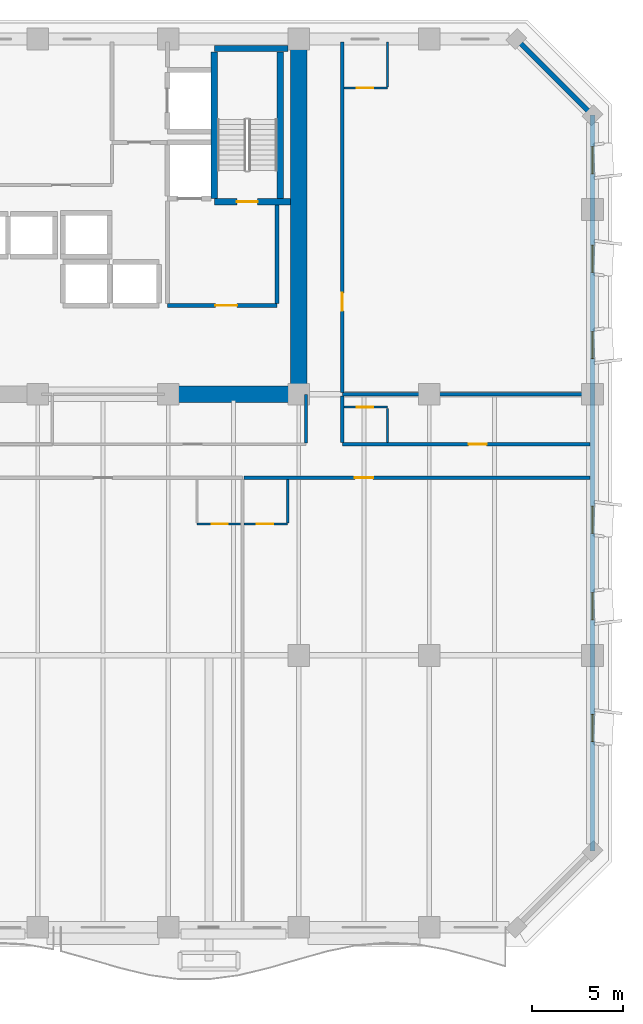
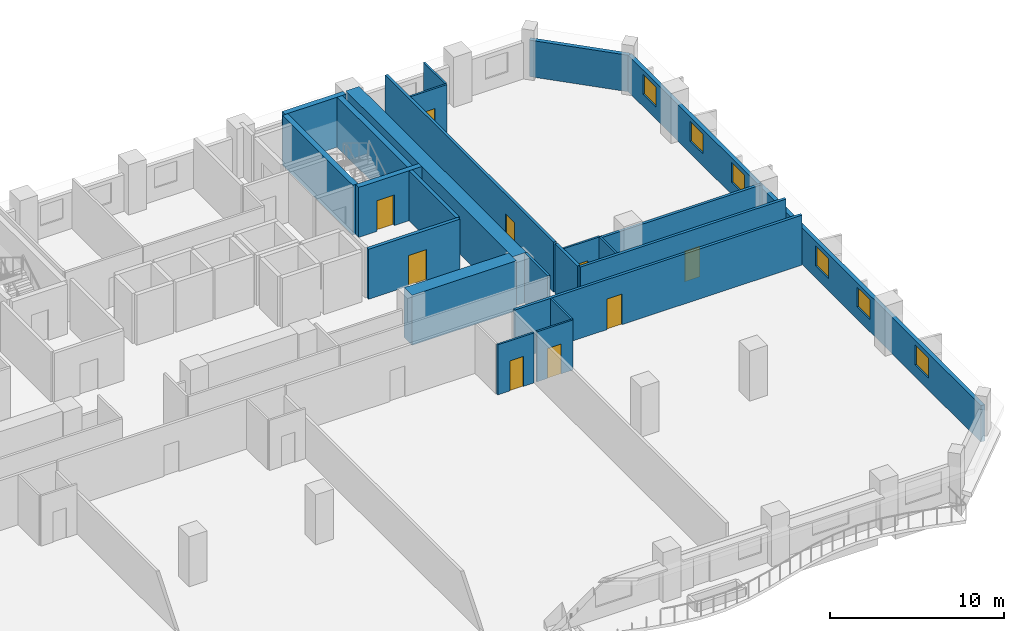
# One storey, part 9 of 14: 23 walls, 9 doors, 6 windows, 15 openings.
"""IFC4 building model written with IfcOpenShell, lengths in metres."""

from ifc_helpers import new_model, si_unit, direction, frame, frame_2d, origin, place, context, subcontext, project, spatial, rectangle, extrude, material, layer, layer_set, type_object, element, fill, save


model = new_model("IFC4")

# Units and contexts
model_context = context("Model", 3, precision=1e-05, world=origin(), true_north=direction((0.0, 1.0)))
body_context = subcontext(model_context, "Body", "Model", "MODEL_VIEW")
ifc_project = project(units=[si_unit("LENGTHUNIT", "METRE"), si_unit("AREAUNIT", "SQUARE_METRE"), si_unit("VOLUMEUNIT", "CUBIC_METRE"), si_unit("PLANEANGLEUNIT", "RADIAN"), si_unit("MASSUNIT", "GRAM", prefix="KILO")], contexts=[model_context])

# Site, building, storey
site_placement = place(None, origin())
site = spatial("IfcSite", under=ifc_project, at=site_placement, CompositionType="ELEMENT")
building_placement = place(site_placement, origin())
building = spatial("IfcBuilding", under=site, at=building_placement, Name="Kaelvorn Grand Hotel", CompositionType="ELEMENT")
storey_placement = place(building_placement, frame((0.0, 0.0, 119.300048828125)))
storey = spatial("IfcBuildingStorey", under=building, at=storey_placement, Name="L28", CompositionType="ELEMENT", Elevation=119.300048828125)

# Walls
ifc_material_1 = material(Name="Concrete C60/75", Category="concrete")
ifc_layer_1 = layer(ifc_material_1, 0.89990234375)
ifc_layer_set_1 = layer_set([ifc_layer_1], Name="Concrete C60/75")
wall_type_1 = type_object("IfcWallType", Name="WL-CORE-900-C60", PredefinedType="SHEAR", material=ifc_layer_set_1)
wall_1_placement = place(storey_placement, frame((67.800048828125, 29.39990234375, 0.0), z_axis=(0.0, 0.0, 1.0), x_axis=(0.0, 1.0, 0.0)))
element("IfcWall", 1, at=wall_1_placement, inside=storey, type_object=wall_type_1, Name="L28 Rear-Core East Shear Wall", PredefinedType="SHEAR", context=body_context, shape_type="SweptSolid", body=[
    extrude(rectangle(XDim=19.2001953125, YDim=0.89990234375, at=frame_2d((9.60009765625, 0.0))), origin(), (0.0, 0.0, 1.0), 3.510009765625),
])
wall_2_placement = place(storey_placement, frame((60.39990234375, 29.39990234375, 0.0), z_axis=(0.0, 0.0, 1.0), x_axis=(1.0, 0.0, 0.0)))
element("IfcWall", 2, at=wall_2_placement, inside=storey, type_object=wall_type_1, Name="L28 Rear-Core Coupled Shear Pier S4", PredefinedType="SHEAR", context=body_context, shape_type="SweptSolid", body=[
    extrude(rectangle(XDim=6.945068359375, YDim=0.89990234375, at=frame_2d((3.47265625, 0.0))), origin(), (0.0, 0.0, 1.0), 3.510009765625),
])

# Wall, openings, windows
ifc_material_2 = material(Name="Concrete C40/50", Category="concrete")
ifc_layer_2 = layer(ifc_material_2, 0.260009765625)
ifc_layer_set_2 = layer_set([ifc_layer_2], Name="Concrete C40/50")
wall_type_2 = type_object("IfcWallType", Name="WL-EXT-260-C40", PredefinedType="SOLIDWALL", material=ifc_layer_set_2)
wall_3_placement = place(storey_placement, frame((84.0, 4.199951171875, 0.0), z_axis=(0.0, 0.0, 1.0), x_axis=(0.0, 1.0, 0.0)))
wall_3 = element("IfcWall", 3, at=wall_3_placement, inside=storey, type_object=wall_type_2, Name="L28 Exterior Architectural Concrete Wall 03", PredefinedType="SOLIDWALL", context=body_context, shape_type="SweptSolid", body=[
    extrude(rectangle(XDim=40.60009765625, YDim=0.260009765625, at=frame_2d((20.300048828125, 0.0))), origin(), (0.0, 0.0, 1.0), 2.56005859375),
])
opening_1_placement = place(wall_3_placement, frame((6.050048828125, 0.0, 0.85009765625)))
opening_1 = element("IfcOpeningElement", 4, at=opening_1_placement, cuts=wall_3, Name="Opening W10", PredefinedType="OPENING", context=body_context, shape_type="SweptSolid", body=[
    extrude(rectangle(XDim=1.5, YDim=1.39990234375, at=frame_2d((0.75, 0.699951171875))), frame((0.0, 0.14013671875, 0.0), z_axis=(0.0, -1.0, 0.0), x_axis=(1.0, 0.0, 0.0)), (0.0, 0.0, 1.0), 0.280029296875),
])
opening_2_placement = place(wall_3_placement, frame((12.764892578125, 0.0, 0.85009765625)))
opening_2 = element("IfcOpeningElement", 5, at=opening_2_placement, cuts=wall_3, Name="Opening W10", PredefinedType="OPENING", context=body_context, shape_type="SweptSolid", body=[
    extrude(rectangle(XDim=1.5, YDim=1.39990234375, at=frame_2d((0.75, 0.699951171875))), frame((0.0, 0.14013671875, 0.0), z_axis=(0.0, -1.0, 0.0), x_axis=(1.0, 0.0, 0.0)), (0.0, 0.0, 1.0), 0.280029296875),
])
opening_3_placement = place(wall_3_placement, frame((17.534912109375, 0.0, 0.85009765625)))
opening_3 = element("IfcOpeningElement", 6, at=opening_3_placement, cuts=wall_3, Name="Opening W10", PredefinedType="OPENING", context=body_context, shape_type="SweptSolid", body=[
    extrude(rectangle(XDim=1.5, YDim=1.39990234375, at=frame_2d((0.75, 0.699951171875))), frame((0.0, 0.14013671875, 0.0), z_axis=(0.0, -1.0, 0.0), x_axis=(1.0, 0.0, 0.0)), (0.0, 0.0, 1.0), 0.280029296875),
])
opening_4_placement = place(wall_3_placement, frame((27.1650390625, 0.0, 0.85009765625)))
opening_4 = element("IfcOpeningElement", 7, at=opening_4_placement, cuts=wall_3, Name="Opening W10", PredefinedType="OPENING", context=body_context, shape_type="SweptSolid", body=[
    extrude(rectangle(XDim=1.5, YDim=1.39990234375, at=frame_2d((0.75, 0.699951171875))), frame((0.0, 0.14013671875, 0.0), z_axis=(0.0, -1.0, 0.0), x_axis=(1.0, 0.0, 0.0)), (0.0, 0.0, 1.0), 0.280029296875),
])
opening_5_placement = place(wall_3_placement, frame((31.93505859375, 0.0, 0.85009765625)))
opening_5 = element("IfcOpeningElement", 8, at=opening_5_placement, cuts=wall_3, Name="Opening W10", PredefinedType="OPENING", context=body_context, shape_type="SweptSolid", body=[
    extrude(rectangle(XDim=1.5, YDim=1.39990234375, at=frame_2d((0.75, 0.699951171875))), frame((0.0, 0.14013671875, 0.0), z_axis=(0.0, -1.0, 0.0), x_axis=(1.0, 0.0, 0.0)), (0.0, 0.0, 1.0), 0.280029296875),
])
opening_6_placement = place(wall_3_placement, frame((37.364990234375, 0.0, 0.85009765625)))
opening_6 = element("IfcOpeningElement", 9, at=opening_6_placement, cuts=wall_3, Name="Opening W10", PredefinedType="OPENING", context=body_context, shape_type="SweptSolid", body=[
    extrude(rectangle(XDim=1.5, YDim=1.39990234375, at=frame_2d((0.75, 0.699951171875))), frame((0.0, 0.14013671875, 0.0), z_axis=(0.0, -1.0, 0.0), x_axis=(1.0, 0.0, 0.0)), (0.0, 0.0, 1.0), 0.280029296875),
])
ifc_material_3 = material(Name="Laminated Low-E Glass", Category="glass")
window_type = type_object("IfcWindowType", Name="WIN-COR-1500x1400", PartitioningType="SINGLE_PANEL", PredefinedType="WINDOW", material=ifc_material_3)
window_1_placement = place(opening_1_placement, origin())
window_1 = element("IfcWindow", 10, at=window_1_placement, inside=storey, type_object=window_type, Name="L28 E Wing Tilted-Frame Ribbon Window E01", OverallHeight=1.39990234375, OverallWidth=1.5, PartitioningType="SINGLE_PANEL", PredefinedType="WINDOW", context=body_context, shape_type="SweptSolid", body=[
    extrude(rectangle(XDim=1.5, YDim=1.39990234375, at=frame_2d((0.75, 0.699951171875))), frame((0.0, 0.030029296875, 0.0), z_axis=(0.0, -1.0, 0.0), x_axis=(1.0, 0.0, 0.0)), (0.0, 0.0, 1.0), 0.06005859375),
])
fill(opening_1, window_1)
window_2_placement = place(opening_2_placement, origin())
window_2 = element("IfcWindow", 11, at=window_2_placement, inside=storey, type_object=window_type, Name="L28 E Wing Tilted-Frame Ribbon Window E02", OverallHeight=1.39990234375, OverallWidth=1.5, PartitioningType="SINGLE_PANEL", PredefinedType="WINDOW", context=body_context, shape_type="SweptSolid", body=[
    extrude(rectangle(XDim=1.5, YDim=1.39990234375, at=frame_2d((0.75, 0.699951171875))), frame((0.0, 0.030029296875, 0.0), z_axis=(0.0, -1.0, 0.0), x_axis=(1.0, 0.0, 0.0)), (0.0, 0.0, 1.0), 0.06005859375),
])
fill(opening_2, window_2)
window_3_placement = place(opening_3_placement, origin())
window_3 = element("IfcWindow", 12, at=window_3_placement, inside=storey, type_object=window_type, Name="L28 E Wing Tilted-Frame Ribbon Window E03", OverallHeight=1.39990234375, OverallWidth=1.5, PartitioningType="SINGLE_PANEL", PredefinedType="WINDOW", context=body_context, shape_type="SweptSolid", body=[
    extrude(rectangle(XDim=1.5, YDim=1.39990234375, at=frame_2d((0.75, 0.699951171875))), frame((0.0, 0.030029296875, 0.0), z_axis=(0.0, -1.0, 0.0), x_axis=(1.0, 0.0, 0.0)), (0.0, 0.0, 1.0), 0.06005859375),
])
fill(opening_3, window_3)
window_4_placement = place(opening_4_placement, origin())
window_4 = element("IfcWindow", 13, at=window_4_placement, inside=storey, type_object=window_type, Name="L28 E Wing Tilted-Frame Ribbon Window E04", OverallHeight=1.39990234375, OverallWidth=1.5, PartitioningType="SINGLE_PANEL", PredefinedType="WINDOW", context=body_context, shape_type="SweptSolid", body=[
    extrude(rectangle(XDim=1.5, YDim=1.39990234375, at=frame_2d((0.75, 0.699951171875))), frame((0.0, 0.030029296875, 0.0), z_axis=(0.0, -1.0, 0.0), x_axis=(1.0, 0.0, 0.0)), (0.0, 0.0, 1.0), 0.06005859375),
])
fill(opening_4, window_4)
window_5_placement = place(opening_5_placement, origin())
window_5 = element("IfcWindow", 14, at=window_5_placement, inside=storey, type_object=window_type, Name="L28 E Wing Tilted-Frame Ribbon Window E05", OverallHeight=1.39990234375, OverallWidth=1.5, PartitioningType="SINGLE_PANEL", PredefinedType="WINDOW", context=body_context, shape_type="SweptSolid", body=[
    extrude(rectangle(XDim=1.5, YDim=1.39990234375, at=frame_2d((0.75, 0.699951171875))), frame((0.0, 0.030029296875, 0.0), z_axis=(0.0, -1.0, 0.0), x_axis=(1.0, 0.0, 0.0)), (0.0, 0.0, 1.0), 0.06005859375),
])
fill(opening_5, window_5)
window_6_placement = place(opening_6_placement, origin())
window_6 = element("IfcWindow", 15, at=window_6_placement, inside=storey, type_object=window_type, Name="L28 E Wing Tilted-Frame Ribbon Window E06", OverallHeight=1.39990234375, OverallWidth=1.5, PartitioningType="SINGLE_PANEL", PredefinedType="WINDOW", context=body_context, shape_type="SweptSolid", body=[
    extrude(rectangle(XDim=1.5, YDim=1.39990234375, at=frame_2d((0.75, 0.699951171875))), frame((0.0, 0.030029296875, 0.0), z_axis=(0.0, -1.0, 0.0), x_axis=(1.0, 0.0, 0.0)), (0.0, 0.0, 1.0), 0.06005859375),
])
fill(opening_6, window_6)

# Wall
wall_4_placement = place(storey_placement, frame((84.0, 44.800048828125, 0.0), z_axis=(0.0, 0.0, 1.0), x_axis=(-0.707106781187, 0.707106781187, 0.0)))
element("IfcWall", 16, at=wall_4_placement, inside=storey, type_object=wall_type_2, Name="L28 Exterior Architectural Concrete Wall 04", PredefinedType="SOLIDWALL", context=body_context, shape_type="SweptSolid", body=[
    extrude(rectangle(XDim=5.939697265625, YDim=0.260009765625, at=frame_2d((2.9697265625, 0.0))), origin(), (0.0, 0.0, 1.0), 2.56005859375),
])

# Wall, opening, door
ifc_material_4 = material(Name="Moisture-Resistant Tile & Stud Board")
ifc_layer_3 = layer(ifc_material_4, 0.125)
ifc_layer_set_3 = layer_set([ifc_layer_3], Name="Moisture-Resistant Tile & Stud Board")
wall_type_3 = type_object("IfcWallType", Name="WL-PART-125-WET", PredefinedType="PARTITIONING", material=ifc_layer_set_3)
wall_5_placement = place(storey_placement, frame((62.190673828125, 22.25, 0.0), z_axis=(0.0, 0.0, 1.0), x_axis=(1.0, 0.0, 0.0)))
wall_5 = element("IfcWall", 17, at=wall_5_placement, inside=storey, type_object=wall_type_3, Name="L28 En-suite Bathroom L28-04 S Partition", PredefinedType="PARTITIONING", context=body_context, shape_type="SweptSolid", body=[
    extrude(rectangle(XDim=2.405029296875, YDim=0.125, at=frame_2d((1.20263671875, 0.0))), origin(), (0.0, 0.0, 1.0), 3.510009765625),
])
opening_7_placement = place(wall_5_placement, frame((0.800048828125, 0.0, 0.0)))
opening_7 = element("IfcOpeningElement", 18, at=opening_7_placement, cuts=wall_5, Name="Opening DI4", PredefinedType="OPENING", context=body_context, shape_type="SweptSolid", body=[
    extrude(rectangle(XDim=0.89990234375, YDim=2.10009765625, at=frame_2d((0.449951171875, 1.050048828125))), frame((0.0, 0.072509765625, 0.0), z_axis=(0.0, -1.0, 0.0), x_axis=(1.0, 0.0, 0.0)), (0.0, 0.0, 1.0), 0.14501953125),
])
ifc_material_5 = material(Name="Timber Veneer Leaf", Category="wood")
door_type_1 = type_object("IfcDoorType", Name="DR-INT-BATH-900x2100", OperationType="NOTDEFINED", PredefinedType="DOOR", material=ifc_material_5)
door_1_placement = place(opening_7_placement, origin())
door_1 = element("IfcDoor", 19, at=door_1_placement, inside=storey, type_object=door_type_1, Name="L28 En-suite Bathroom L28-04 Door", OperationType="SINGLE_SWING_RIGHT", OverallHeight=2.10009765625, OverallWidth=0.89990234375, PredefinedType="DOOR", context=body_context, shape_type="SweptSolid", body=[
    extrude(rectangle(XDim=0.89990234375, YDim=2.10009765625, at=frame_2d((0.449951171875, 1.050048828125))), frame((0.0, 0.02490234375, 0.0), z_axis=(0.0, -1.0, 0.0), x_axis=(1.0, 0.0, 0.0)), (0.0, 0.0, 1.0), 0.050048828125),
])
fill(opening_7, door_1)

wall_6_placement = place(storey_placement, frame((64.78564453125, 22.25, 0.0), z_axis=(0.0, 0.0, 1.0), x_axis=(1.0, 0.0, 0.0)))
wall_6 = element("IfcWall", 20, at=wall_6_placement, inside=storey, type_object=wall_type_3, Name="L28 En-suite Bathroom L28-05 S Partition", PredefinedType="PARTITIONING", context=body_context, shape_type="SweptSolid", body=[
    extrude(rectangle(XDim=2.405029296875, YDim=0.125, at=frame_2d((1.20263671875, 0.0))), origin(), (0.0, 0.0, 1.0), 3.510009765625),
])
opening_8_placement = place(wall_6_placement, frame((0.705078125, 0.0, 0.0)))
opening_8 = element("IfcOpeningElement", 21, at=opening_8_placement, cuts=wall_6, Name="Opening DI4", PredefinedType="OPENING", context=body_context, shape_type="SweptSolid", body=[
    extrude(rectangle(XDim=0.89990234375, YDim=2.10009765625, at=frame_2d((0.449951171875, 1.050048828125))), frame((0.0, 0.072509765625, 0.0), z_axis=(0.0, -1.0, 0.0), x_axis=(1.0, 0.0, 0.0)), (0.0, 0.0, 1.0), 0.14501953125),
])
door_2_placement = place(opening_8_placement, origin())
door_2 = element("IfcDoor", 22, at=door_2_placement, inside=storey, type_object=door_type_1, Name="L28 En-suite Bathroom L28-05 Door", OperationType="SINGLE_SWING_RIGHT", OverallHeight=2.10009765625, OverallWidth=0.89990234375, PredefinedType="DOOR", context=body_context, shape_type="SweptSolid", body=[
    extrude(rectangle(XDim=0.89990234375, YDim=2.10009765625, at=frame_2d((0.449951171875, 1.050048828125))), frame((0.0, 0.02490234375, 0.0), z_axis=(0.0, -1.0, 0.0), x_axis=(1.0, 0.0, 0.0)), (0.0, 0.0, 1.0), 0.050048828125),
])
fill(opening_8, door_2)

# Wall
wall_7_placement = place(storey_placement, frame((67.190673828125, 22.3173828125, 0.0), z_axis=(0.0, 0.0, 1.0), x_axis=(0.0, 1.0, 0.0)))
element("IfcWall", 23, at=wall_7_placement, inside=storey, type_object=wall_type_3, Name="L28 En-suite Bathroom L28-05 E Partition", PredefinedType="PARTITIONING", context=body_context, shape_type="SweptSolid", body=[
    extrude(rectangle(XDim=2.3876953125, YDim=0.125, at=frame_2d((1.19384765625, 0.0))), origin(), (0.0, 0.0, 1.0), 3.510009765625),
])

# Wall, opening, door
wall_8_placement = place(storey_placement, frame((70.294921875, 28.699951171875, 0.0), z_axis=(0.0, 0.0, 1.0), x_axis=(1.0, 0.0, 0.0)))
wall_8 = element("IfcWall", 24, at=wall_8_placement, inside=storey, type_object=wall_type_3, Name="L28 En-suite Bathroom L28-07 N Partition", PredefinedType="PARTITIONING", context=body_context, shape_type="SweptSolid", body=[
    extrude(rectangle(XDim=2.405029296875, YDim=0.125, at=frame_2d((1.20263671875, 0.0))), origin(), (0.0, 0.0, 1.0), 3.510009765625),
])
opening_9_placement = place(wall_8_placement, frame((0.705078125, 0.0, 0.0)))
opening_9 = element("IfcOpeningElement", 25, at=opening_9_placement, cuts=wall_8, Name="Opening DI4", PredefinedType="OPENING", context=body_context, shape_type="SweptSolid", body=[
    extrude(rectangle(XDim=0.89990234375, YDim=2.10009765625, at=frame_2d((0.449951171875, 1.050048828125))), frame((0.0, 0.072509765625, 0.0), z_axis=(0.0, -1.0, 0.0), x_axis=(1.0, 0.0, 0.0)), (0.0, 0.0, 1.0), 0.14501953125),
])
door_3_placement = place(opening_9_placement, origin())
door_3 = element("IfcDoor", 26, at=door_3_placement, inside=storey, type_object=door_type_1, Name="L28 En-suite Bathroom L28-07 Door", OperationType="SINGLE_SWING_RIGHT", OverallHeight=2.10009765625, OverallWidth=0.89990234375, PredefinedType="DOOR", context=body_context, shape_type="SweptSolid", body=[
    extrude(rectangle(XDim=0.89990234375, YDim=2.10009765625, at=frame_2d((0.449951171875, 1.050048828125))), frame((0.0, 0.02490234375, 0.0), z_axis=(0.0, -1.0, 0.0), x_axis=(1.0, 0.0, 0.0)), (0.0, 0.0, 1.0), 0.050048828125),
])
fill(opening_9, door_3)

# Wall
wall_9_placement = place(storey_placement, frame((72.699951171875, 26.7451171875, 0.0), z_axis=(0.0, 0.0, 1.0), x_axis=(0.0, 1.0, 0.0)))
element("IfcWall", 27, at=wall_9_placement, inside=storey, type_object=wall_type_3, Name="L28 En-suite Bathroom L28-07 E Partition", PredefinedType="PARTITIONING", context=body_context, shape_type="SweptSolid", body=[
    extrude(rectangle(XDim=1.887451171875, YDim=0.125, at=frame_2d((0.94384765625, 0.0))), origin(), (0.0, 0.0, 1.0), 3.510009765625),
])

# Wall, opening, door
wall_10_placement = place(storey_placement, frame((70.294921875, 46.300048828125, 0.0), z_axis=(0.0, 0.0, 1.0), x_axis=(1.0, 0.0, 0.0)))
wall_10 = element("IfcWall", 28, at=wall_10_placement, inside=storey, type_object=wall_type_3, Name="L28 En-suite Bathroom L28-08 S Partition", PredefinedType="PARTITIONING", context=body_context, shape_type="SweptSolid", body=[
    extrude(rectangle(XDim=2.405029296875, YDim=0.125, at=frame_2d((1.20263671875, 0.0))), origin(), (0.0, 0.0, 1.0), 3.510009765625),
])
opening_10_placement = place(wall_10_placement, frame((0.705078125, 0.0, 0.0)))
opening_10 = element("IfcOpeningElement", 29, at=opening_10_placement, cuts=wall_10, Name="Opening DI4", PredefinedType="OPENING", context=body_context, shape_type="SweptSolid", body=[
    extrude(rectangle(XDim=0.89990234375, YDim=2.10009765625, at=frame_2d((0.449951171875, 1.050048828125))), frame((0.0, 0.072509765625, 0.0), z_axis=(0.0, -1.0, 0.0), x_axis=(1.0, 0.0, 0.0)), (0.0, 0.0, 1.0), 0.14501953125),
])
door_4_placement = place(opening_10_placement, origin())
door_4 = element("IfcDoor", 30, at=door_4_placement, inside=storey, type_object=door_type_1, Name="L28 En-suite Bathroom L28-08 Door", OperationType="SINGLE_SWING_RIGHT", OverallHeight=2.10009765625, OverallWidth=0.89990234375, PredefinedType="DOOR", context=body_context, shape_type="SweptSolid", body=[
    extrude(rectangle(XDim=0.89990234375, YDim=2.10009765625, at=frame_2d((0.449951171875, 1.050048828125))), frame((0.0, 0.02490234375, 0.0), z_axis=(0.0, -1.0, 0.0), x_axis=(1.0, 0.0, 0.0)), (0.0, 0.0, 1.0), 0.050048828125),
])
fill(opening_10, door_4)

# Walls
wall_11_placement = place(storey_placement, frame((72.699951171875, 46.367431640625, 0.0), z_axis=(0.0, 0.0, 1.0), x_axis=(0.0, 1.0, 0.0)))
element("IfcWall", 31, at=wall_11_placement, inside=storey, type_object=wall_type_3, Name="L28 En-suite Bathroom L28-08 E Partition", PredefinedType="PARTITIONING", context=body_context, shape_type="SweptSolid", body=[
    extrude(rectangle(XDim=2.482666015625, YDim=0.125, at=frame_2d((1.2412109375, 0.0))), origin(), (0.0, 0.0, 1.0), 3.510009765625),
])
ifc_material_6 = material(Name="Acoustic Gypsum & Stud Partition")
ifc_layer_4 = layer(ifc_material_6, 0.14990234375)
ifc_layer_set_4 = layer_set([ifc_layer_4], Name="Acoustic Gypsum & Stud Partition")
wall_type_4 = type_object("IfcWallType", Name="WL-PART-150-EI60", PredefinedType="PARTITIONING", material=ifc_layer_set_4)
wall_12_placement = place(storey_placement, frame((68.199951171875, 26.72998046875, 0.0), z_axis=(0.0, 0.0, 1.0), x_axis=(0.0, 1.0, 0.0)))
element("IfcWall", 32, at=wall_12_placement, inside=storey, type_object=wall_type_4, Name="L28 Diplomatic Chancery Office E Partition", PredefinedType="PARTITIONING", context=body_context, shape_type="SweptSolid", body=[
    extrude(rectangle(XDim=2.659912109375, YDim=0.14990234375, at=frame_2d((1.330078125, 0.0))), origin(), (0.0, 0.0, 1.0), 3.510009765625),
])

# Wall, opening, door
ifc_layer_5 = layer(ifc_material_6, 0.179931640625)
ifc_layer_set_5 = layer_set([ifc_layer_5], Name="Acoustic Gypsum & Stud Partition")
wall_type_5 = type_object("IfcWallType", Name="WL-PART-180-EI60", PredefinedType="PARTITIONING", material=ifc_layer_set_5)
wall_13_placement = place(storey_placement, frame((64.78564453125, 24.800048828125, 0.0), z_axis=(0.0, 0.0, 1.0), x_axis=(1.0, 0.0, 0.0)))
wall_13 = element("IfcWall", 33, at=wall_13_placement, inside=storey, type_object=wall_type_5, Name="L28 Presidential Sky Suite L28-05 N Partition", PredefinedType="PARTITIONING", context=body_context, shape_type="SweptSolid", body=[
    extrude(rectangle(XDim=19.064453125, YDim=0.179931640625, at=frame_2d((9.5322265625, 0.0))), origin(), (0.0, 0.0, 1.0), 3.510009765625),
])
opening_11_placement = place(wall_13_placement, frame((6.114501953125, 0.0, 0.0)))
opening_11 = element("IfcOpeningElement", 34, at=opening_11_placement, cuts=wall_13, Name="Opening DI3", PredefinedType="OPENING", context=body_context, shape_type="SweptSolid", body=[
    extrude(rectangle(XDim=1.0, YDim=2.14990234375, at=frame_2d((0.5, 1.074951171875))), frame((0.0, 0.10009765625, 0.0), z_axis=(0.0, -1.0, 0.0), x_axis=(1.0, 0.0, 0.0)), (0.0, 0.0, 1.0), 0.199951171875),
])
ifc_material_7 = material(Name="Timber Veneer Fire Leaf", Category="wood")
door_type_2 = type_object("IfcDoorType", Name="DR-INT-GUEST-1000x2150", OperationType="NOTDEFINED", PredefinedType="DOOR", material=ifc_material_7)
door_5_placement = place(opening_11_placement, origin())
door_5 = element("IfcDoor", 35, at=door_5_placement, inside=storey, type_object=door_type_2, Name="L28 Presidential Sky Suite L28-05 Door", OperationType="SINGLE_SWING_LEFT", OverallHeight=2.14990234375, OverallWidth=1.0, PredefinedType="DOOR", context=body_context, shape_type="SweptSolid", body=[
    extrude(rectangle(XDim=1.0, YDim=2.14990234375, at=frame_2d((0.5, 1.074951171875))), frame((0.0, 0.02490234375, 0.0), z_axis=(0.0, -1.0, 0.0), x_axis=(1.0, 0.0, 0.0)), (0.0, 0.0, 1.0), 0.050048828125),
])
fill(opening_11, door_5)

wall_14_placement = place(storey_placement, frame((70.199951171875, 26.64990234375, 0.0), z_axis=(0.0, 0.0, 1.0), x_axis=(1.0, 0.0, 0.0)))
wall_14 = element("IfcWall", 36, at=wall_14_placement, inside=storey, type_object=wall_type_5, Name="L28 East Chamfer Corner Suite L28-07 S Partition", PredefinedType="PARTITIONING", context=body_context, shape_type="SweptSolid", body=[
    extrude(rectangle(XDim=13.650146484375, YDim=0.179931640625, at=frame_2d((6.8251953125, 0.0))), origin(), (0.0, 0.0, 1.0), 3.510009765625),
])
opening_12_placement = place(wall_14_placement, frame((6.965087890625, 0.0, 0.0)))
opening_12 = element("IfcOpeningElement", 37, at=opening_12_placement, cuts=wall_14, Name="Opening DI3", PredefinedType="OPENING", context=body_context, shape_type="SweptSolid", body=[
    extrude(rectangle(XDim=1.0, YDim=2.14990234375, at=frame_2d((0.5, 1.074951171875))), frame((0.0, 0.10009765625, 0.0), z_axis=(0.0, -1.0, 0.0), x_axis=(1.0, 0.0, 0.0)), (0.0, 0.0, 1.0), 0.199951171875),
])
door_6_placement = place(opening_12_placement, origin())
door_6 = element("IfcDoor", 38, at=door_6_placement, inside=storey, type_object=door_type_2, Name="L28 East Chamfer Corner Suite L28-07 Door", OperationType="SINGLE_SWING_LEFT", OverallHeight=2.14990234375, OverallWidth=1.0, PredefinedType="DOOR", context=body_context, shape_type="SweptSolid", body=[
    extrude(rectangle(XDim=1.0, YDim=2.14990234375, at=frame_2d((0.5, 1.074951171875))), frame((0.0, 0.02490234375, 0.0), z_axis=(0.0, -1.0, 0.0), x_axis=(1.0, 0.0, 0.0)), (0.0, 0.0, 1.0), 0.050048828125),
])
fill(opening_12, door_6)

# Walls
wall_15_placement = place(storey_placement, frame((70.199951171875, 29.39990234375, 0.0), z_axis=(0.0, 0.0, 1.0), x_axis=(1.0, 0.0, 0.0)))
element("IfcWall", 39, at=wall_15_placement, inside=storey, type_object=wall_type_5, Name="L28 East Chamfer Corner Suite L28-07 N Partition", PredefinedType="PARTITIONING", context=body_context, shape_type="SweptSolid", body=[
    extrude(rectangle(XDim=13.650146484375, YDim=0.179931640625, at=frame_2d((6.8251953125, 0.0))), origin(), (0.0, 0.0, 1.0), 2.85986328125),
])
wall_16_placement = place(storey_placement, frame((70.199951171875, 26.7451171875, 0.0), z_axis=(0.0, 0.0, 1.0), x_axis=(0.0, 1.0, 0.0)))
element("IfcWall", 40, at=wall_16_placement, inside=storey, type_object=wall_type_5, Name="L28 East Chamfer Corner Suite L28-07 W Partition", PredefinedType="PARTITIONING", context=body_context, shape_type="SweptSolid", body=[
    extrude(rectangle(XDim=2.559814453125, YDim=0.179931640625, at=frame_2d((1.27978515625, 0.0))), origin(), (0.0, 0.0, 1.0), 3.510009765625),
])

# Wall, opening, door
wall_17_placement = place(storey_placement, frame((70.199951171875, 29.4951171875, 0.0), z_axis=(0.0, 0.0, 1.0), x_axis=(0.0, 1.0, 0.0)))
wall_17 = element("IfcWall", 41, at=wall_17_placement, inside=storey, type_object=wall_type_5, Name="L28 Presidential Sky Suite L28-08 W Partition", PredefinedType="PARTITIONING", context=body_context, shape_type="SweptSolid", body=[
    extrude(rectangle(XDim=19.35498046875, YDim=0.179931640625, at=frame_2d((9.677490234375, 0.0))), origin(), (0.0, 0.0, 1.0), 3.510009765625),
])
opening_13_placement = place(wall_17_placement, frame((4.5048828125, 0.0, 0.0)))
opening_13 = element("IfcOpeningElement", 42, at=opening_13_placement, cuts=wall_17, Name="Opening DI3", PredefinedType="OPENING", context=body_context, shape_type="SweptSolid", body=[
    extrude(rectangle(XDim=1.0, YDim=2.14990234375, at=frame_2d((0.5, 1.074951171875))), frame((0.0, 0.10009765625, 0.0), z_axis=(0.0, -1.0, 0.0), x_axis=(1.0, 0.0, 0.0)), (0.0, 0.0, 1.0), 0.199951171875),
])
door_7_placement = place(opening_13_placement, origin())
door_7 = element("IfcDoor", 43, at=door_7_placement, inside=storey, type_object=door_type_2, Name="L28 Presidential Sky Suite L28-08 Door", OperationType="SINGLE_SWING_LEFT", OverallHeight=2.14990234375, OverallWidth=1.0, PredefinedType="DOOR", context=body_context, shape_type="SweptSolid", body=[
    extrude(rectangle(XDim=1.0, YDim=2.14990234375, at=frame_2d((0.5, 1.074951171875))), frame((0.0, 0.02490234375, 0.0), z_axis=(0.0, -1.0, 0.0), x_axis=(1.0, 0.0, 0.0)), (0.0, 0.0, 1.0), 0.050048828125),
])
fill(opening_13, door_7)

ifc_layer_6 = layer(ifc_material_2, 0.219970703125)
ifc_layer_set_6 = layer_set([ifc_layer_6], Name="Concrete C40/50")
wall_type_6 = type_object("IfcWallType", Name="WL-PART-220-EI120", PredefinedType="PARTITIONING", material=ifc_layer_set_6)
wall_18_placement = place(storey_placement, frame((60.550048828125, 34.300048828125, 0.0), z_axis=(0.0, 0.0, 1.0), x_axis=(1.0, 0.0, 0.0)))
wall_18 = element("IfcWall", 44, at=wall_18_placement, inside=storey, type_object=wall_type_6, Name="L28 Firefighting Lift Lobby 2 S Partition", PredefinedType="PARTITIONING", context=body_context, shape_type="SweptSolid", body=[
    extrude(rectangle(XDim=6.050048828125, YDim=0.219970703125, at=frame_2d((3.02490234375, 0.0))), origin(), (0.0, 0.0, 1.0), 3.510009765625),
])
opening_14_placement = place(wall_18_placement, frame((2.64990234375, 0.0, 0.0)))
opening_14 = element("IfcOpeningElement", 45, at=opening_14_placement, cuts=wall_18, Name="Opening DI2", PredefinedType="OPENING", context=body_context, shape_type="SweptSolid", body=[
    extrude(rectangle(XDim=1.199951171875, YDim=2.14990234375, at=frame_2d((0.60009765625, 1.074951171875))), frame((0.0, 0.1201171875, 0.0), z_axis=(0.0, -1.0, 0.0), x_axis=(1.0, 0.0, 0.0)), (0.0, 0.0, 1.0), 0.239990234375),
])
door_type_3 = type_object("IfcDoorType", Name="DR-INT-FFLOB-1200x2150", OperationType="NOTDEFINED", PredefinedType="DOOR", material=ifc_material_7)
door_8_placement = place(opening_14_placement, origin())
door_8 = element("IfcDoor", 46, at=door_8_placement, inside=storey, type_object=door_type_3, Name="L28 Firefighting Lift Lobby 2 Door", OperationType="SINGLE_SWING_RIGHT", OverallHeight=2.14990234375, OverallWidth=1.199951171875, PredefinedType="DOOR", context=body_context, shape_type="SweptSolid", body=[
    extrude(rectangle(XDim=1.199951171875, YDim=2.14990234375, at=frame_2d((0.60009765625, 1.074951171875))), frame((0.0, 0.02490234375, 0.0), z_axis=(0.0, -1.0, 0.0), x_axis=(1.0, 0.0, 0.0)), (0.0, 0.0, 1.0), 0.050048828125),
])
fill(opening_14, door_8)

# Wall
wall_19_placement = place(storey_placement, frame((66.60009765625, 34.4150390625, 0.0), z_axis=(0.0, 0.0, 1.0), x_axis=(0.0, 1.0, 0.0)))
element("IfcWall", 47, at=wall_19_placement, inside=storey, type_object=wall_type_6, Name="L28 Firefighting Lift Lobby 2 E Partition", PredefinedType="PARTITIONING", context=body_context, shape_type="SweptSolid", body=[
    extrude(rectangle(XDim=5.429931640625, YDim=0.219970703125, at=frame_2d((2.71484375, 0.0))), origin(), (0.0, 0.0, 1.0), 3.510009765625),
])

# Wall, opening, door
ifc_layer_7 = layer(ifc_material_1, 0.35009765625)
ifc_layer_set_7 = layer_set([ifc_layer_7], Name="Concrete C60/75")
wall_type_7 = type_object("IfcWallType", Name="WL-SHAFT-350-C60", PredefinedType="SHEAR", material=ifc_layer_set_7)
wall_20_placement = place(storey_placement, frame((63.14501953125, 40.02490234375, 0.0), z_axis=(0.0, 0.0, 1.0), x_axis=(1.0, 0.0, 0.0)))
wall_20 = element("IfcWall", 48, at=wall_20_placement, inside=storey, type_object=wall_type_7, Name="L28 ST3 Stair Shaft South Wall", PredefinedType="SHEAR", context=body_context, shape_type="SweptSolid", body=[
    extrude(rectangle(XDim=4.199951171875, YDim=0.35009765625, at=frame_2d((2.10009765625, 0.0))), origin(), (0.0, 0.0, 1.0), 3.510009765625),
])
opening_15_placement = place(wall_20_placement, frame((1.239990234375, 0.0, 0.0)))
opening_15 = element("IfcOpeningElement", 49, at=opening_15_placement, cuts=wall_20, Name="Opening DI1", PredefinedType="OPENING", context=body_context, shape_type="SweptSolid", body=[
    extrude(rectangle(XDim=1.14990234375, YDim=2.14990234375, at=frame_2d((0.574951171875, 1.074951171875))), frame((0.0, 0.18505859375, 0.0), z_axis=(0.0, -1.0, 0.0), x_axis=(1.0, 0.0, 0.0)), (0.0, 0.0, 1.0), 0.3701171875),
])
door_type_4 = type_object("IfcDoorType", Name="DR-INT-STAIR-1150x2150", OperationType="NOTDEFINED", PredefinedType="DOOR", material=ifc_material_7)
door_9_placement = place(opening_15_placement, origin())
door_9 = element("IfcDoor", 50, at=door_9_placement, inside=storey, type_object=door_type_4, Name="L28 ST3 Exit Stair Fire Door", OperationType="SINGLE_SWING_RIGHT", OverallHeight=2.14990234375, OverallWidth=1.14990234375, PredefinedType="DOOR", context=body_context, shape_type="SweptSolid", body=[
    extrude(rectangle(XDim=1.14990234375, YDim=2.14990234375, at=frame_2d((0.574951171875, 1.074951171875))), frame((0.0, 0.02490234375, 0.0), z_axis=(0.0, -1.0, 0.0), x_axis=(1.0, 0.0, 0.0)), (0.0, 0.0, 1.0), 0.050048828125),
])
fill(opening_15, door_9)

# Walls
wall_21_placement = place(storey_placement, frame((63.14501953125, 48.47509765625, 0.0), z_axis=(0.0, 0.0, 1.0), x_axis=(1.0, 0.0, 0.0)))
element("IfcWall", 51, at=wall_21_placement, inside=storey, type_object=wall_type_7, Name="L28 ST3 Stair Shaft North Wall", PredefinedType="SHEAR", context=body_context, shape_type="SweptSolid", body=[
    extrude(rectangle(XDim=4.050048828125, YDim=0.35009765625, at=frame_2d((2.02490234375, 0.0))), origin(), (0.0, 0.0, 1.0), 3.510009765625),
])
for number, where, z_axis, x_axis, name in (
    (52, (63.14501953125, 40.205078125, 0.0), (0.0, 0.0, 1.0), (0.0, 1.0, 0.0), "L28 ST3 Stair Shaft West Wall"),
    (53, (66.77490234375, 40.205078125, 0.0), (0.0, 0.0, 1.0), (0.0, 1.0, 0.0), "L28 ST3 Stair Shaft East Wall"),
):
    element("IfcWall", number, at=place(storey_placement, frame(where, z_axis=z_axis, x_axis=x_axis)), inside=storey, type_object=wall_type_7, Name=name, PredefinedType="SHEAR", context=body_context, shape_type="SweptSolid", body=[
        extrude(rectangle(XDim=8.08984375, YDim=0.35009765625, at=frame_2d((4.044921875, 0.0))), origin(), (0.0, 0.0, 1.0), 3.510009765625),
    ])

save(model, "model.ifc")
